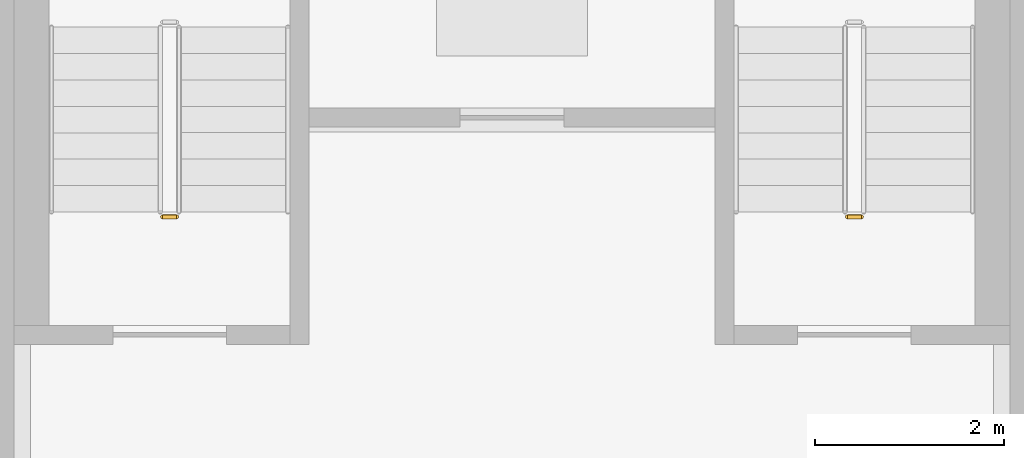
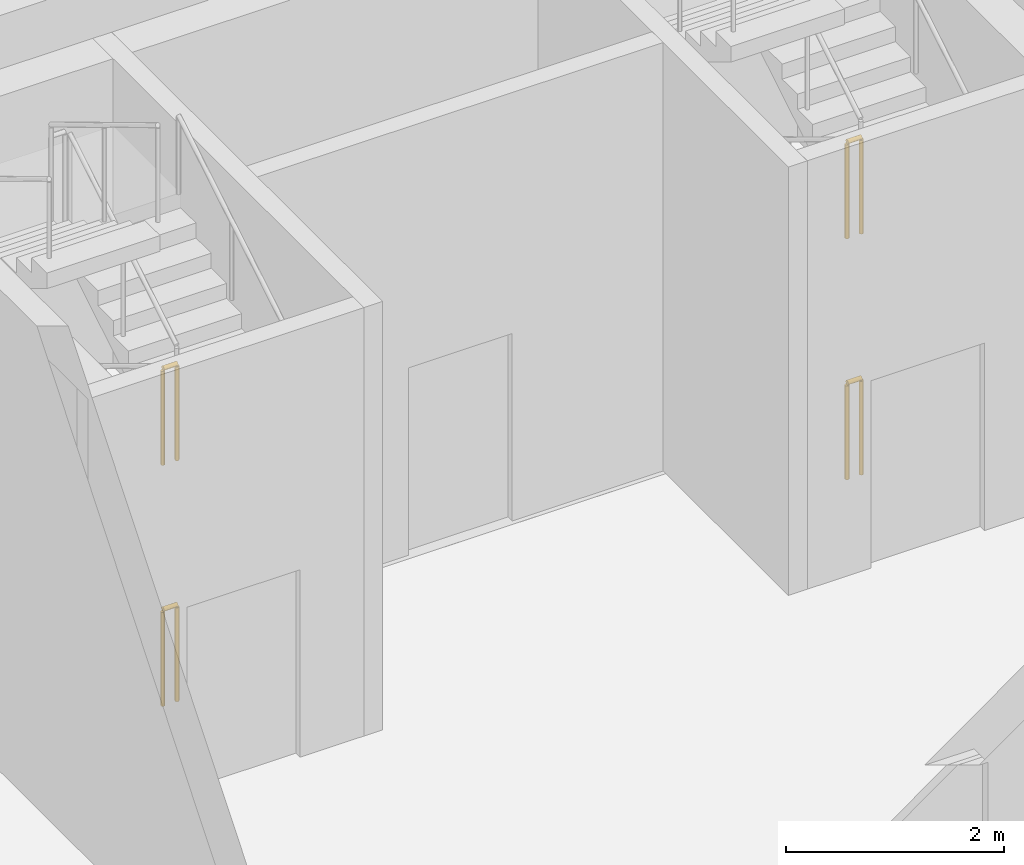
# One storey, part 82 of 101: 4 railings.
"""IFC4 building model written with IfcOpenShell, lengths in metres."""

from ifc_helpers import new_model, si_unit, direction, frame, origin, origin_2d, place, context, subcontext, project, spatial, circle, extrude, material, type_object, element, save


model = new_model("IFC4")

# Units and contexts
model_context = context("Model", 3, precision=1e-05, world=origin(), true_north=direction((0.0, 1.0)))
body_context = subcontext(model_context, "Body", "Model", "MODEL_VIEW")
ifc_project = project(units=[si_unit("LENGTHUNIT", "METRE"), si_unit("AREAUNIT", "SQUARE_METRE"), si_unit("VOLUMEUNIT", "CUBIC_METRE"), si_unit("PLANEANGLEUNIT", "RADIAN"), si_unit("MASSUNIT", "GRAM", prefix="KILO")], contexts=[model_context])

# Site, building, storey
site_placement = place(None, origin())
site = spatial("IfcSite", under=ifc_project, at=site_placement, CompositionType="ELEMENT")
building_placement = place(site_placement, origin())
building = spatial("IfcBuilding", under=site, at=building_placement, Name="Magnolia Steps Interchange", CompositionType="ELEMENT")
storey_placement = place(building_placement, frame((0.0, 0.0, -5.39990234375)))
storey = spatial("IfcBuildingStorey", under=building, at=storey_placement, Name="B1", CompositionType="ELEMENT", Elevation=-5.39990234375)

# Railings
ifc_material = material(Name="Stainless steel grade 304", Category="steel")
railing_type = type_object("IfcRailingType", Name="Stair guard 1100", PredefinedType="GUARDRAIL", material=ifc_material)
for number, where, name in (
    (1, (87.449951171875, 38.64990234375, 2.699951171875), "B1 ST19 stair guard 4"),
    (2, (87.449951171875, 38.64990234375, 0.0), "B1 ST19 stair guard 8"),
    (3, (94.699951171875, 38.64990234375, 2.699951171875), "B1 ST20 stair guard 4"),
    (4, (94.699951171875, 38.64990234375, 0.0), "B1 ST20 stair guard 8"),
):
    element("IfcRailing", number, at=place(storey_placement, frame(where)), inside=storey, type_object=railing_type, Name=name, PredefinedType="GUARDRAIL", context=body_context, shape_type="SweptSolid", body=[
        extrude(circle(Radius=0.02392578125, at=origin_2d()), frame((0.0, 0.0, 1.076171875), z_axis=(-1.0, 0.0, 0.0), x_axis=(0.0, -1.0, 0.0)), (0.0, 0.0, 1.0), 0.14990234375),
        extrude(circle(Radius=0.02099609375, at=origin_2d()), origin(), (0.0, 0.0, 1.0), 1.052001953125),
        extrude(circle(Radius=0.02099609375, at=origin_2d()), frame((-0.14990234375, 0.0, 0.0)), (0.0, 0.0, 1.0), 1.052001953125),
    ])

save(model, "model.ifc")
